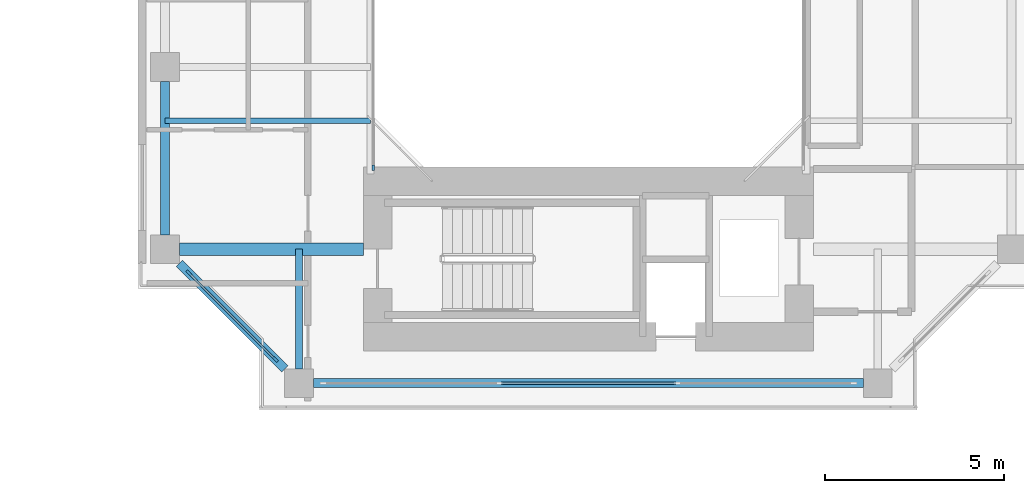
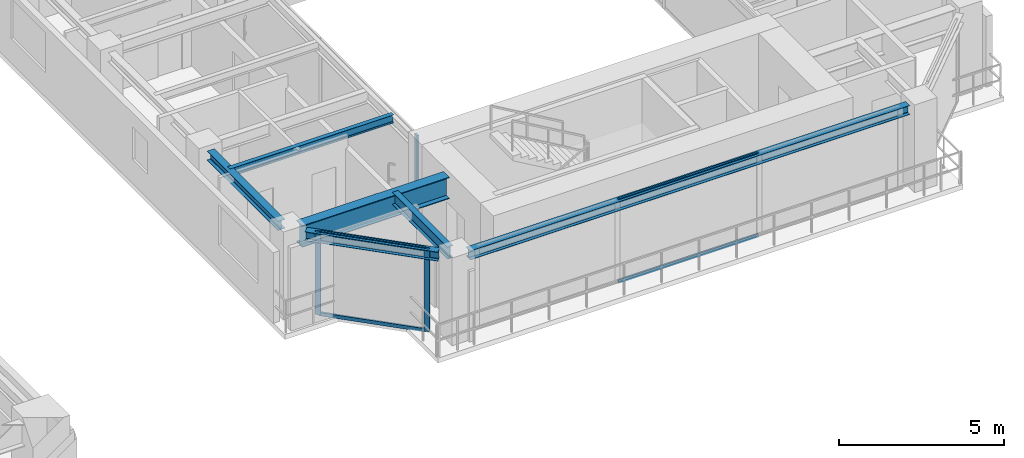
# One storey, part 6 of 23: 7 members, 6 beams, 3 elements without a shape of their own.
"""IFC4 building model written with IfcOpenShell, lengths in metres."""

from ifc_helpers import new_model, si_unit, direction, frame, origin, origin_2d, place, context, subcontext, project, spatial, rectangle, i_section, extrude, source, transform, mapped, material, layer, layer_set, material_profile, profile_set, type_object, element, aggregate, save


model = new_model("IFC4")

# Units and contexts
model_context = context("Model", 3, precision=1e-05, world=origin(), true_north=direction((0.0, 1.0)))
body_context = subcontext(model_context, "Body", "Model", "MODEL_VIEW")
ifc_project = project(units=[si_unit("LENGTHUNIT", "METRE"), si_unit("AREAUNIT", "SQUARE_METRE"), si_unit("VOLUMEUNIT", "CUBIC_METRE"), si_unit("PLANEANGLEUNIT", "RADIAN"), si_unit("MASSUNIT", "GRAM", prefix="KILO"), si_unit("THERMODYNAMICTEMPERATUREUNIT", "KELVIN"), si_unit("POWERUNIT", "WATT")], contexts=[model_context])

# Site, building, storey
site_placement = place(None, origin())
site = spatial("IfcSite", under=ifc_project, at=site_placement, CompositionType="ELEMENT")
building_placement = place(site_placement, origin())
building = spatial("IfcBuilding", under=site, at=building_placement, Name="Qiaomeng Ring Towers", CompositionType="ELEMENT")
storey_placement = place(building_placement, frame((0.0, 0.0, 79.5)))
storey = spatial("IfcBuildingStorey", under=building, at=storey_placement, Name="L22", CompositionType="ELEMENT", Elevation=79.5)

# Beams
ifc_material_1 = material(Name="Steel Q355B", Category="steel")
ifc_material_profile_1 = material_profile(ifc_material_1, i_section(OverallWidth=0.25, OverallDepth=0.340087890625, WebThickness=0.009033203125, FlangeThickness=0.013916015625, FilletRadius=0.02001953125, at=origin_2d()), Name="HM 340x250x9x14")
ifc_profile_set_1 = profile_set([ifc_material_profile_1], Name="Steel Q355B")
beam_type_1 = type_object("IfcBeamType", Name="STR-BM-HM340", PredefinedType="SPANDREL", material=ifc_profile_set_1)
shared_shape_1 = source(origin(), body_context, "Body", "SweptSolid", [
    extrude(i_section(OverallWidth=0.25, OverallDepth=0.340087890625, WebThickness=0.009033203125, FlangeThickness=0.013916015625, FilletRadius=0.02001953125, at=origin_2d()), origin(), (0.0, 0.0, 1.0), 15.40185546875),
])
beam_1_placement = place(storey_placement, frame((52.799072265625, 11.14990234375, 2.89990234375), z_axis=(1.0, 0.0, 0.0), x_axis=(0.0, 1.0, 0.0)))
element("IfcBeam", 1, at=beam_1_placement, inside=storey, type_object=beam_type_1, Name="L22 beam STR-SP-L22-T2-S1-S2", PredefinedType="SPANDREL", context=body_context, shape_type="MappedRepresentation", body=[
    mapped(shared_shape_1, transform((0.0, 0.0, 0.0), x_axis=(1.0, 0.0, 0.0), y_axis=(0.0, 1.0, 0.0), z_axis=(0.0, 0.0, 1.0), scale=1.0)),
])
shared_shape_2 = source(origin(), body_context, "Body", "SweptSolid", [
    extrude(i_section(OverallWidth=0.25, OverallDepth=0.340087890625, WebThickness=0.009033203125, FlangeThickness=0.013916015625, FilletRadius=0.02001953125, at=origin_2d()), origin(), (0.0, 0.0, 1.0), 4.173828125),
])
beam_2_placement = place(storey_placement, frame((49.04931640625, 14.500732421875, 2.89990234375), z_axis=(0.707106781187, -0.707106781187, 0.0), x_axis=(0.707106781187, 0.707106781187, 0.0)))
element("IfcBeam", 2, at=beam_2_placement, inside=storey, type_object=beam_type_1, Name="L22 beam STR-SP-L22-T2-W1-S1", PredefinedType="SPANDREL", context=body_context, shape_type="MappedRepresentation", body=[
    mapped(shared_shape_2, transform((0.0, 0.0, 0.0), x_axis=(1.0, 0.0, 0.0), y_axis=(0.0, 1.0, 0.0), z_axis=(0.0, 0.0, 1.0), scale=1.0)),
])
shared_shape_3 = source(origin(), body_context, "Body", "SweptSolid", [
    extrude(i_section(OverallWidth=0.25, OverallDepth=0.340087890625, WebThickness=0.009033203125, FlangeThickness=0.013916015625, FilletRadius=0.02001953125, at=origin_2d()), origin(), (0.0, 0.0, 1.0), 4.302001953125),
])
beam_3_placement = place(storey_placement, frame((48.64990234375, 19.60107421875, 2.89990234375), z_axis=(0.0, -1.0, 0.0), x_axis=(1.0, 0.0, 0.0)))
element("IfcBeam", 3, at=beam_3_placement, inside=storey, type_object=beam_type_1, Name="L22 beam STR-SP-L22-T2-W2-W1", PredefinedType="SPANDREL", context=body_context, shape_type="MappedRepresentation", body=[
    mapped(shared_shape_3, transform((0.0, 0.0, 0.0), x_axis=(1.0, 0.0, 0.0), y_axis=(0.0, 1.0, 0.0), z_axis=(0.0, 0.0, 1.0), scale=1.0)),
])
ifc_material_2 = material(Name="Steel Q390GJC", Category="steel")
ifc_material_profile_2 = material_profile(ifc_material_2, i_section(OverallWidth=0.35009765625, OverallDepth=0.800048828125, WebThickness=0.01611328125, FlangeThickness=0.028076171875, at=origin_2d()), Name="WH 800x350x16x28")
ifc_profile_set_2 = profile_set([ifc_material_profile_2], Name="Steel Q390GJC")
beam_type_2 = type_object("IfcBeamType", Name="STR-BM-WH800", PredefinedType="BEAM", material=ifc_profile_set_2)
shared_shape_4 = source(origin(), body_context, "Body", "SweptSolid", [
    extrude(i_section(OverallWidth=0.35009765625, OverallDepth=0.800048828125, WebThickness=0.01611328125, FlangeThickness=0.028076171875, at=origin_2d()), origin(), (0.0, 0.0, 1.0), 5.15087890625),
])
beam_4_placement = place(storey_placement, frame((49.049072265625, 14.89990234375, 2.669921875), z_axis=(1.0, 0.0, 0.0), x_axis=(0.0, 1.0, 0.0)))
element("IfcBeam", 4, at=beam_4_placement, inside=storey, type_object=beam_type_2, Name="L22 beam STR-BM-L22-T2-RAD-W1", PredefinedType="BEAM", context=body_context, shape_type="MappedRepresentation", body=[
    mapped(shared_shape_4, transform((0.0, 0.0, 0.0), x_axis=(1.0, 0.0, 0.0), y_axis=(0.0, 1.0, 0.0), z_axis=(0.0, 0.0, 1.0), scale=1.0)),
])
ifc_material_profile_3 = material_profile(ifc_material_1, i_section(OverallWidth=0.199951171875, OverallDepth=0.449951171875, WebThickness=0.009033203125, FlangeThickness=0.013916015625, FilletRadius=0.01806640625, at=origin_2d()), Name="HN 450x200x9x14")
ifc_profile_set_3 = profile_set([ifc_material_profile_3], Name="Steel Q355B")
beam_type_3 = type_object("IfcBeamType", Name="STR-BM-HN450", PredefinedType="SPANDREL", material=ifc_profile_set_3)
shared_shape_5 = source(origin(), body_context, "Body", "SweptSolid", [
    extrude(i_section(OverallWidth=0.199951171875, OverallDepth=0.449951171875, WebThickness=0.009033203125, FlangeThickness=0.013916015625, FilletRadius=0.01806640625, at=origin_2d()), origin(), (0.0, 0.0, 1.0), 3.350830078125),
])
beam_5_placement = place(storey_placement, frame((52.39990234375, 11.549072265625, 2.844970703125), z_axis=(0.0, 1.0, 0.0), x_axis=(-1.0, 0.0, 0.0)))
element("IfcBeam", 5, at=beam_5_placement, inside=storey, type_object=beam_type_3, Name="L22 beam STR-BM-L22-T2-RAD-S1", PredefinedType="SPANDREL", context=body_context, shape_type="MappedRepresentation", body=[
    mapped(shared_shape_5, transform((0.0, 0.0, 0.0), x_axis=(1.0, 0.0, 0.0), y_axis=(0.0, 1.0, 0.0), z_axis=(0.0, 0.0, 1.0), scale=1.0)),
])
ifc_material_profile_4 = material_profile(ifc_material_1, i_section(OverallWidth=0.14990234375, OverallDepth=0.300048828125, WebThickness=0.006591796875, FlangeThickness=0.009033203125, FilletRadius=0.012939453125, at=origin_2d()), Name="HN 300x150x6.5x9")
ifc_profile_set_4 = profile_set([ifc_material_profile_4], Name="Steel Q355B")
beam_type_4 = type_object("IfcBeamType", Name="STR-BM-HN300", PredefinedType="JOIST", material=ifc_profile_set_4)
shared_shape_6 = source(origin(), body_context, "Body", "SweptSolid", [
    extrude(i_section(OverallWidth=0.14990234375, OverallDepth=0.300048828125, WebThickness=0.006591796875, FlangeThickness=0.009033203125, FilletRadius=0.012939453125, at=origin_2d()), origin(), (0.0, 0.0, 1.0), 5.75),
])
beam_6_placement = place(storey_placement, frame((48.64990234375, 18.5, 2.919921875), z_axis=(1.0, 0.0, 0.0), x_axis=(0.0, 1.0, 0.0)))
element("IfcBeam", 6, at=beam_6_placement, inside=storey, type_object=beam_type_4, Name="L22 beam STR-JST-L22-T2W-1", PredefinedType="JOIST", context=body_context, shape_type="MappedRepresentation", body=[
    mapped(shared_shape_6, transform((0.0, 0.0, 0.0), x_axis=(1.0, 0.0, 0.0), y_axis=(0.0, 1.0, 0.0), z_axis=(0.0, 0.0, 1.0), scale=1.0)),
])

# Curtain wall, member
ifc_material_3 = material(Name="Fluorocarbon dark-grey aluminium", Category="aluminium")
ifc_layer_1 = layer(ifc_material_3, 0.139892578125, Name="Fluorocarbon dark-grey aluminium")
ifc_layer_set_1 = layer_set([ifc_layer_1], Name="Fluorocarbon dark-grey aluminium")
curtain_wall_type_1 = type_object("IfcCurtainWallType", Name="ARC-CW-4", PredefinedType="NOTDEFINED", material=ifc_layer_set_1)
curtain_wall_1_placement = place(storey_placement, origin())
curtain_wall_1 = element("IfcCurtainWall", 7, at=curtain_wall_1_placement, inside=storey, type_object=curtain_wall_type_1, Name="L22 Curtain Wall CW4", PredefinedType="NOTDEFINED")
ifc_material_profile_5 = material_profile(ifc_material_3, rectangle(XDim=0.06494140625, YDim=0.159912109375, at=origin_2d()), Name="ALU MULL 65x160")
ifc_profile_set_5 = profile_set([ifc_material_profile_5], Name="Fluorocarbon dark-grey aluminium")
member_type_1 = type_object("IfcMemberType", Name="ARC-CWM-140", PredefinedType="MULLION", material=ifc_profile_set_5)
shared_shape_7 = source(origin(), body_context, "Body", "SweptSolid", [
    extrude(rectangle(XDim=0.06494140625, YDim=0.159912109375, at=origin_2d()), origin(), (0.0, 0.0, 1.0), 3.070068359375),
])
member_1_placement = place(storey_placement, frame((54.47998046875, 17.1826171875, 0.0), z_axis=(0.0, 0.0, 1.0), x_axis=(-1.0, 0.0, 0.0)))
member_1 = element("IfcMember", 8, at=member_1_placement, type_object=member_type_1, Name="CW4 mullion 1", PredefinedType="MULLION", context=body_context, shape_type="MappedRepresentation", body=[
    mapped(shared_shape_7, transform((0.0, 0.0, 0.0), x_axis=(1.0, 0.0, 0.0), y_axis=(0.0, 1.0, 0.0), z_axis=(0.0, 0.0, 1.0), scale=1.0)),
])
aggregate(curtain_wall_1, [member_1])

# Curtain wall, members
ifc_layer_2 = layer(ifc_material_3, 0.14990234375, Name="Fluorocarbon dark-grey aluminium")
ifc_layer_set_2 = layer_set([ifc_layer_2], Name="Fluorocarbon dark-grey aluminium")
curtain_wall_type_2 = type_object("IfcCurtainWallType", Name="ARC-CW-5", PredefinedType="NOTDEFINED", material=ifc_layer_set_2)
curtain_wall_2_placement = place(storey_placement, origin())
curtain_wall_2 = element("IfcCurtainWall", 9, at=curtain_wall_2_placement, inside=storey, type_object=curtain_wall_type_2, Name="L22 Curtain Wall CW5", PredefinedType="NOTDEFINED")
ifc_material_profile_6 = material_profile(ifc_material_3, rectangle(XDim=0.070068359375, YDim=0.179931640625, at=origin_2d()), Name="ALU MULL 70x180")
ifc_profile_set_6 = profile_set([ifc_material_profile_6], Name="Fluorocarbon dark-grey aluminium")
member_type_2 = type_object("IfcMemberType", Name="ARC-CWM-160", PredefinedType="MULLION", material=ifc_profile_set_6)
shared_shape_8 = source(origin(), body_context, "Body", "SweptSolid", [
    extrude(rectangle(XDim=0.070068359375, YDim=0.179931640625, at=origin_2d()), origin(), (0.0, 0.0, 1.0), 3.070068359375),
])
member_2_placement = place(storey_placement, frame((49.314697265625, 14.2353515625, 0.0), z_axis=(0.0, 0.0, 1.0), x_axis=(0.707106781187, 0.707106781187, 0.0)))
member_2 = element("IfcMember", 10, at=member_2_placement, type_object=member_type_2, Name="CW5 mullion 1", PredefinedType="MULLION", context=body_context, shape_type="MappedRepresentation", body=[
    mapped(shared_shape_8, transform((0.0, 0.0, 0.0), x_axis=(1.0, 0.0, 0.0), y_axis=(0.0, 1.0, 0.0), z_axis=(0.0, 0.0, 1.0), scale=1.0)),
])
member_3_placement = place(storey_placement, frame((51.7353515625, 11.814697265625, 0.0), z_axis=(0.0, 0.0, 1.0), x_axis=(0.707106781187, 0.707106781187, 0.0)))
member_3 = element("IfcMember", 11, at=member_3_placement, type_object=member_type_2, Name="CW5 mullion 2", PredefinedType="MULLION", context=body_context, shape_type="MappedRepresentation", body=[
    mapped(shared_shape_8, transform((0.0, 0.0, 0.0), x_axis=(1.0, 0.0, 0.0), y_axis=(0.0, 1.0, 0.0), z_axis=(0.0, 0.0, 1.0), scale=1.0)),
])

curtain_wall_3_placement = place(storey_placement, origin())
curtain_wall_3 = element("IfcCurtainWall", 12, at=curtain_wall_3_placement, inside=storey, type_object=curtain_wall_type_2, Name="L22 Curtain Wall CW5", PredefinedType="NOTDEFINED")
ifc_material_profile_7 = material_profile(ifc_material_3, rectangle(XDim=0.06494140625, YDim=0.1298828125, at=origin_2d()), Name="ALU TRAN 65x130")
ifc_profile_set_7 = profile_set([ifc_material_profile_7], Name="Fluorocarbon dark-grey aluminium")
member_type_3 = type_object("IfcMemberType", Name="ARC-CWT-120", PredefinedType="USERDEFINED", material=ifc_profile_set_7)
shared_shape_9 = source(origin(), body_context, "Body", "SweptSolid", [
    extrude(rectangle(XDim=0.06494140625, YDim=0.1298828125, at=origin_2d()), origin(), (0.0, 0.0, 1.0), 4.9033203125),
])
member_4_placement = place(storey_placement, frame((58.04833984375, 11.14990234375, 0.032470703125), z_axis=(1.0, 0.0, 0.0), x_axis=(0.0, 1.0, 0.0)))
member_4 = element("IfcMember", 13, at=member_4_placement, type_object=member_type_3, Name="CW5 transom 2.1", ObjectType="TRANSOM", PredefinedType="USERDEFINED", context=body_context, shape_type="MappedRepresentation", body=[
    mapped(shared_shape_9, transform((0.0, 0.0, 0.0), x_axis=(1.0, 0.0, 0.0), y_axis=(0.0, 1.0, 0.0), z_axis=(0.0, 0.0, 1.0), scale=1.0)),
])
member_5_placement = place(storey_placement, frame((58.04833984375, 11.14990234375, 3.03759765625), z_axis=(1.0, 0.0, 0.0), x_axis=(0.0, 1.0, 0.0)))
member_5 = element("IfcMember", 14, at=member_5_placement, type_object=member_type_3, Name="CW5 transom 2.2", ObjectType="TRANSOM", PredefinedType="USERDEFINED", context=body_context, shape_type="MappedRepresentation", body=[
    mapped(shared_shape_9, transform((0.0, 0.0, 0.0), x_axis=(1.0, 0.0, 0.0), y_axis=(0.0, 1.0, 0.0), z_axis=(0.0, 0.0, 1.0), scale=1.0)),
])
aggregate(curtain_wall_3, [member_4, member_5])

# Member
shared_shape_10 = source(origin(), body_context, "Body", "SweptSolid", [
    extrude(rectangle(XDim=0.06494140625, YDim=0.1298828125, at=origin_2d()), origin(), (0.0, 0.0, 1.0), 3.352783203125),
])
member_6_placement = place(storey_placement, frame((49.339599609375, 14.21044921875, 0.032470703125), z_axis=(0.707106781187, -0.707106781187, 0.0), x_axis=(0.707106781187, 0.707106781187, 0.0)))
member_6 = element("IfcMember", 15, at=member_6_placement, type_object=member_type_3, Name="CW5 transom 1.1", ObjectType="TRANSOM", PredefinedType="USERDEFINED", context=body_context, shape_type="MappedRepresentation", body=[
    mapped(shared_shape_10, transform((0.0, 0.0, 0.0), x_axis=(1.0, 0.0, 0.0), y_axis=(0.0, 1.0, 0.0), z_axis=(0.0, 0.0, 1.0), scale=1.0)),
])

member_7_placement = place(storey_placement, frame((49.339599609375, 14.21044921875, 3.03759765625), z_axis=(0.707106781187, -0.707106781187, 0.0), x_axis=(0.707106781187, 0.707106781187, 0.0)))
member_7 = element("IfcMember", 16, at=member_7_placement, type_object=member_type_3, Name="CW5 transom 1.2", ObjectType="TRANSOM", PredefinedType="USERDEFINED", context=body_context, shape_type="MappedRepresentation", body=[
    mapped(shared_shape_10, transform((0.0, 0.0, 0.0), x_axis=(1.0, 0.0, 0.0), y_axis=(0.0, 1.0, 0.0), z_axis=(0.0, 0.0, 1.0), scale=1.0)),
])

aggregate(curtain_wall_2, [member_2, member_3, member_6, member_7])

save(model, "model.ifc")
